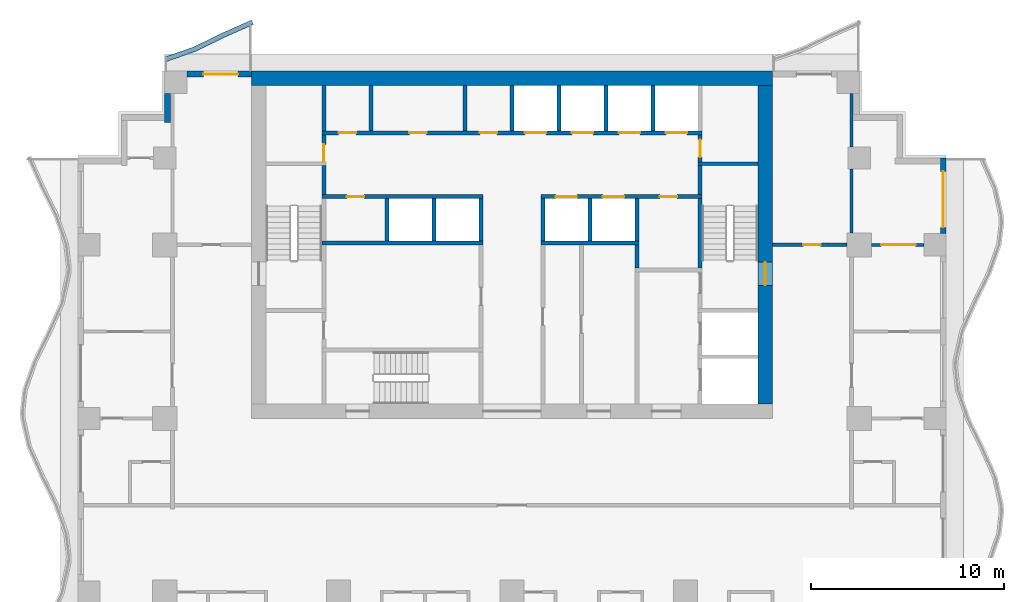
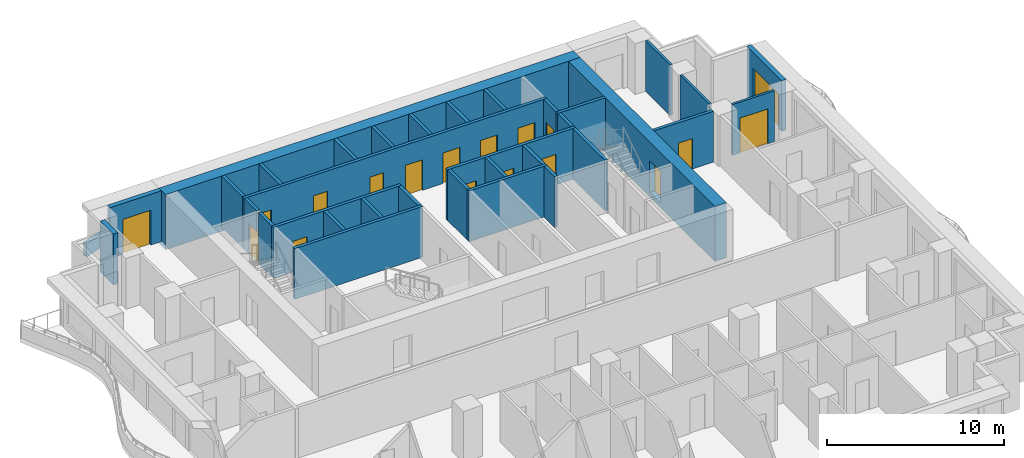
# One storey, part 5 of 10: 35 walls, 18 doors, 18 openings.
"""IFC4 building model written with IfcOpenShell, lengths in metres."""

from ifc_helpers import new_model, si_unit, direction, frame, frame_2d, origin, place, context, subcontext, project, spatial, polyline, rectangle, outline, extrude, material, layer, layer_set, type_object, element, fill, save


model = new_model("IFC4")

# Units and contexts
model_context = context("Model", 3, precision=1e-05, world=origin(), true_north=direction((0.0, 1.0)))
body_context = subcontext(model_context, "Body", "Model", "MODEL_VIEW")
ifc_project = project(units=[si_unit("LENGTHUNIT", "METRE"), si_unit("AREAUNIT", "SQUARE_METRE"), si_unit("VOLUMEUNIT", "CUBIC_METRE"), si_unit("PLANEANGLEUNIT", "RADIAN"), si_unit("MASSUNIT", "GRAM", prefix="KILO")], contexts=[model_context])

# Site, building, storey
site_placement = place(None, origin())
site = spatial("IfcSite", under=ifc_project, at=site_placement, CompositionType="ELEMENT")
building_placement = place(site_placement, origin())
building = spatial("IfcBuilding", under=site, at=building_placement, Name="Orbiselva Terraces", CompositionType="ELEMENT")
storey_placement = place(building_placement, frame((0.0, 0.0, 155.4)))
storey = spatial("IfcBuildingStorey", under=building, at=storey_placement, Name="L39", CompositionType="ELEMENT", Elevation=155.4)

# Wall, opening, door
ifc_material_1 = material(Name="Concrete C80/95", Category="concrete")
ifc_layer_1 = layer(ifc_material_1, 0.75)
ifc_layer_set_1 = layer_set([ifc_layer_1], Name="Concrete C80/95")
wall_type_1 = type_object("IfcWallType", Name="CORE WALL 750", PredefinedType="SHEAR", material=ifc_layer_set_1)
wall_1_placement = place(storey_placement, frame((13.125, 5.25, -0.3), z_axis=(0.0, 0.0, 1.0), x_axis=(0.0, 1.0, 0.0)))
wall_1 = element("IfcWall", 1, at=wall_1_placement, inside=storey, type_object=wall_type_1, Name="Core wall L39 east", PredefinedType="SHEAR", context=body_context, shape_type="SweptSolid", body=[
    extrude(rectangle(XDim=16.5, YDim=0.75, at=frame_2d((8.25, 0.0))), origin(), (0.0, 0.0, 1.0), 3.8),
])
opening_1_placement = place(wall_1_placement, frame((6.15, 0.0, 0.3)))
opening_1 = element("IfcOpeningElement", 2, at=opening_1_placement, cuts=wall_1, Name="Opening DS1200", PredefinedType="OPENING", context=body_context, shape_type="SweptSolid", body=[
    extrude(rectangle(XDim=1.2, YDim=2.2, at=frame_2d((0.6, 1.1))), frame((0.0, 0.385, 0.0), z_axis=(0.0, -1.0, 0.0), x_axis=(1.0, 0.0, 0.0)), (0.0, 0.0, 1.0), 0.77),
])
ifc_material_2 = material(Name="Steel fire door", Category="steel")
door_type_1 = type_object("IfcDoorType", Name="STAIR DOOR 1200", OperationType="NOTDEFINED", PredefinedType="DOOR", material=ifc_material_2)
door_1_placement = place(opening_1_placement, frame((1.2, 0.0, 0.0), z_axis=(0.0, 0.0, 1.0), x_axis=(-1.0, 0.0, 0.0)))
door_1 = element("IfcDoor", 3, at=door_1_placement, inside=storey, type_object=door_type_1, Name="L39 EXIT STAIR S2 door", OperationType="SINGLE_SWING_LEFT", OverallHeight=2.2, OverallWidth=1.2, PredefinedType="DOOR", context=body_context, shape_type="SweptSolid", body=[
    extrude(rectangle(XDim=1.2, YDim=2.2, at=frame_2d((0.6, 1.1))), frame((0.0, 0.025, 0.0), z_axis=(0.0, -1.0, 0.0), x_axis=(1.0, 0.0, 0.0)), (0.0, 0.0, 1.0), 0.05),
])
fill(opening_1, door_1)

# Wall
ifc_layer_2 = layer(ifc_material_1, 0.75)
ifc_layer_set_2 = layer_set([ifc_layer_2], Name="Concrete C80/95")
wall_type_2 = type_object("IfcWallType", Name="CORE WALL 750 EXTERNAL", PredefinedType="SHEAR", material=ifc_layer_set_2)
wall_2_placement = place(storey_placement, frame((13.5, 22.125, -0.3), z_axis=(0.0, 0.0, 1.0), x_axis=(-1.0, 0.0, 0.0)))
element("IfcWall", 4, at=wall_2_placement, inside=storey, type_object=wall_type_2, Name="Core wall L39 north", PredefinedType="SHEAR", context=body_context, shape_type="SweptSolid", body=[
    extrude(rectangle(XDim=27.0, YDim=0.75, at=frame_2d((13.5, 0.0))), origin(), (0.0, 0.0, 1.0), 3.8),
])

# Wall, opening, door
ifc_material_3 = material(Name="Masonry blockwork", Category="masonry")
ifc_layer_3 = layer(ifc_material_3, 0.2)
ifc_layer_set_3 = layer_set([ifc_layer_3], Name="Masonry blockwork")
wall_type_3 = type_object("IfcWallType", Name="CORE-WALL-PARTITION-200", PredefinedType="PARTITIONING", material=ifc_layer_set_3)
wall_3_placement = place(storey_placement, frame((-9.75, 17.8, 0.0), z_axis=(0.0, 0.0, 1.0), x_axis=(0.0, 1.0, 0.0)))
wall_3 = element("IfcWall", 5, at=wall_3_placement, inside=storey, type_object=wall_type_3, Name="L39 core wall 11", PredefinedType="PARTITIONING", context=body_context, shape_type="SweptSolid", body=[
    extrude(rectangle(XDim=1.4, YDim=0.2, at=frame_2d((0.7, 0.0))), origin(), (0.0, 0.0, 1.0), 3.5),
])
opening_2_placement = place(wall_3_placement, origin())
opening_2 = element("IfcOpeningElement", 6, at=opening_2_placement, cuts=wall_3, Name="Opening DR900", PredefinedType="OPENING", context=body_context, shape_type="SweptSolid", body=[
    extrude(rectangle(XDim=0.9, YDim=2.1, at=frame_2d((0.45, 1.05))), frame((0.0, 0.11, 0.0), z_axis=(0.0, -1.0, 0.0), x_axis=(1.0, 0.0, 0.0)), (0.0, 0.0, 1.0), 0.22),
])
door_type_2 = type_object("IfcDoorType", Name="ROOM DOOR 900", OperationType="NOTDEFINED", PredefinedType="DOOR", material=ifc_material_2)
door_2_placement = place(opening_2_placement, origin())
door_2 = element("IfcDoor", 7, at=door_2_placement, inside=storey, type_object=door_type_2, Name="L39 ELECTRICAL RISER ROOM door", OperationType="SINGLE_SWING_LEFT", OverallHeight=2.1, OverallWidth=0.9, PredefinedType="DOOR", context=body_context, shape_type="SweptSolid", body=[
    extrude(rectangle(XDim=0.9, YDim=2.1, at=frame_2d((0.45, 1.05))), frame((0.0, 0.025, 0.0), z_axis=(0.0, -1.0, 0.0), x_axis=(1.0, 0.0, 0.0)), (0.0, 0.0, 1.0), 0.05),
])
fill(opening_2, door_2)

# Walls
for number, where, z_axis, x_axis, name in (
    (8, (-9.75, 19.4, 0.0), (0.0, 0.0, 1.0), (0.0, 1.0, 0.0), "L39 core wall 13"),
    (9, (-7.3125, 19.4, 0.0), (0.0, 0.0, 1.0), (0.0, 1.0, 0.0), "L39 core wall 14"),
    (10, (-2.4375, 19.4, 0.0), (0.0, 0.0, 1.0), (0.0, 1.0, 0.0), "L39 core wall 17"),
):
    element("IfcWall", number, at=place(storey_placement, frame(where, z_axis=z_axis, x_axis=x_axis)), inside=storey, type_object=wall_type_3, Name=name, PredefinedType="PARTITIONING", context=body_context, shape_type="SweptSolid", body=[
        extrude(rectangle(XDim=2.35, YDim=0.2, at=frame_2d((1.175, 0.0))), origin(), (0.0, 0.0, 1.0), 3.5),
    ])
wall_4_placement = place(storey_placement, frame((6.475, 12.3, 0.0), z_axis=(0.0, 0.0, 1.0), x_axis=(0.0, 1.0, 0.0)))
element("IfcWall", 11, at=wall_4_placement, inside=storey, type_object=wall_type_3, Name="L39 core wall 32", PredefinedType="PARTITIONING", context=body_context, shape_type="SweptSolid", body=[
    extrude(rectangle(XDim=1.2, YDim=0.2, at=frame_2d((0.6, 0.0))), origin(), (0.0, 0.0, 1.0), 3.5),
])

# Wall, opening, door
wall_5_placement = place(storey_placement, frame((9.75, 19.2, 0.0), z_axis=(0.0, 0.0, 1.0), x_axis=(0.0, -1.0, 0.0)))
wall_5 = element("IfcWall", 12, at=wall_5_placement, inside=storey, type_object=wall_type_3, Name="L39 core wall 43", PredefinedType="PARTITIONING", context=body_context, shape_type="SweptSolid", body=[
    extrude(rectangle(XDim=1.4, YDim=0.2, at=frame_2d((0.7, 0.0))), origin(), (0.0, 0.0, 1.0), 3.5),
])
opening_3_placement = place(wall_5_placement, frame((0.25, 0.0, 0.0)))
opening_3 = element("IfcOpeningElement", 13, at=opening_3_placement, cuts=wall_5, Name="Opening DR900", PredefinedType="OPENING", context=body_context, shape_type="SweptSolid", body=[
    extrude(rectangle(XDim=0.9, YDim=2.1, at=frame_2d((0.45, 1.05))), frame((0.0, 0.11, 0.0), z_axis=(0.0, -1.0, 0.0), x_axis=(1.0, 0.0, 0.0)), (0.0, 0.0, 1.0), 0.22),
])
door_3_placement = place(opening_3_placement, origin())
door_3 = element("IfcDoor", 14, at=door_3_placement, inside=storey, type_object=door_type_2, Name="L39 COMMS RISER ROOM door", OperationType="SINGLE_SWING_RIGHT", OverallHeight=2.1, OverallWidth=0.9, PredefinedType="DOOR", context=body_context, shape_type="SweptSolid", body=[
    extrude(rectangle(XDim=0.9, YDim=2.1, at=frame_2d((0.45, 1.05))), frame((0.0, 0.025, 0.0), z_axis=(0.0, -1.0, 0.0), x_axis=(1.0, 0.0, 0.0)), (0.0, 0.0, 1.0), 0.05),
])
fill(opening_3, door_3)

# Walls
ifc_material_4 = material(Name="Concrete C40/50", Category="concrete")
ifc_layer_4 = layer(ifc_material_4, 0.2)
ifc_layer_set_4 = layer_set([ifc_layer_4], Name="Concrete C40/50")
wall_type_4 = type_object("IfcWallType", Name="CORE-WALL-SHAFT-200", PredefinedType="PARTITIONING", material=ifc_layer_set_4)
for number, where, z_axis, x_axis, name in (
    (15, (-6.475, 13.7, 0.0), (0.0, 0.0, 1.0), (0.0, 1.0, 0.0), "L39 core wall 15"),
    (16, (-4.0375, 13.7, 0.0), (0.0, 0.0, 1.0), (0.0, 1.0, 0.0), "L39 core wall 16"),
    (17, (-1.6, 13.7, 0.0), (0.0, 0.0, 1.0), (0.0, 1.0, 0.0), "L39 core wall 20"),
):
    element("IfcWall", number, at=place(storey_placement, frame(where, z_axis=z_axis, x_axis=x_axis)), inside=storey, type_object=wall_type_4, Name=name, PredefinedType="PARTITIONING", context=body_context, shape_type="SweptSolid", body=[
        extrude(rectangle(XDim=2.2, YDim=0.2, at=frame_2d((1.1, 0.0))), origin(), (0.0, 0.0, 1.0), 3.5),
    ])
wall_6_placement = place(storey_placement, frame((0.0, 19.4, 0.0), z_axis=(0.0, 0.0, 1.0), x_axis=(0.0, 1.0, 0.0)))
element("IfcWall", 18, at=wall_6_placement, inside=storey, type_object=wall_type_4, Name="L39 core wall 21", PredefinedType="PARTITIONING", context=body_context, shape_type="SweptSolid", body=[
    extrude(rectangle(XDim=2.35, YDim=0.2, at=frame_2d((1.175, 0.0))), origin(), (0.0, 0.0, 1.0), 3.5),
])
wall_7_placement = place(storey_placement, frame((1.6, 13.7, 0.0), z_axis=(0.0, 0.0, 1.0), x_axis=(0.0, 1.0, 0.0)))
element("IfcWall", 19, at=wall_7_placement, inside=storey, type_object=wall_type_4, Name="L39 core wall 24", PredefinedType="PARTITIONING", context=body_context, shape_type="SweptSolid", body=[
    extrude(rectangle(XDim=2.2, YDim=0.2, at=frame_2d((1.1, 0.0))), origin(), (0.0, 0.0, 1.0), 3.5),
])
wall_8_placement = place(storey_placement, frame((2.4375, 19.4, 0.0), z_axis=(0.0, 0.0, 1.0), x_axis=(0.0, 1.0, 0.0)))
element("IfcWall", 20, at=wall_8_placement, inside=storey, type_object=wall_type_4, Name="L39 core wall 26", PredefinedType="PARTITIONING", context=body_context, shape_type="SweptSolid", body=[
    extrude(rectangle(XDim=2.35, YDim=0.2, at=frame_2d((1.175, 0.0))), origin(), (0.0, 0.0, 1.0), 3.5),
])
wall_9_placement = place(storey_placement, frame((4.0375, 13.7, 0.0), z_axis=(0.0, 0.0, 1.0), x_axis=(0.0, 1.0, 0.0)))
element("IfcWall", 21, at=wall_9_placement, inside=storey, type_object=wall_type_4, Name="L39 core wall 28", PredefinedType="PARTITIONING", context=body_context, shape_type="SweptSolid", body=[
    extrude(rectangle(XDim=2.2, YDim=0.2, at=frame_2d((1.1, 0.0))), origin(), (0.0, 0.0, 1.0), 3.5),
])
wall_10_placement = place(storey_placement, frame((4.875, 19.4, 0.0), z_axis=(0.0, 0.0, 1.0), x_axis=(0.0, 1.0, 0.0)))
element("IfcWall", 22, at=wall_10_placement, inside=storey, type_object=wall_type_4, Name="L39 core wall 29", PredefinedType="PARTITIONING", context=body_context, shape_type="SweptSolid", body=[
    extrude(rectangle(XDim=2.35, YDim=0.2, at=frame_2d((1.175, 0.0))), origin(), (0.0, 0.0, 1.0), 3.5),
])
wall_11_placement = place(storey_placement, frame((6.475, 13.7, 0.0), z_axis=(0.0, 0.0, 1.0), x_axis=(0.0, 1.0, 0.0)))
element("IfcWall", 23, at=wall_11_placement, inside=storey, type_object=wall_type_4, Name="L39 core wall 33", PredefinedType="PARTITIONING", context=body_context, shape_type="SweptSolid", body=[
    extrude(rectangle(XDim=2.2, YDim=0.2, at=frame_2d((1.1, 0.0))), origin(), (0.0, 0.0, 1.0), 3.5),
])
wall_12_placement = place(storey_placement, frame((7.3125, 19.4, 0.0), z_axis=(0.0, 0.0, 1.0), x_axis=(0.0, 1.0, 0.0)))
element("IfcWall", 24, at=wall_12_placement, inside=storey, type_object=wall_type_4, Name="L39 core wall 34", PredefinedType="PARTITIONING", context=body_context, shape_type="SweptSolid", body=[
    extrude(rectangle(XDim=2.35, YDim=0.2, at=frame_2d((1.175, 0.0))), origin(), (0.0, 0.0, 1.0), 3.5),
])
ifc_material_5 = material(Name="Concrete C60/75", Category="concrete")
ifc_layer_5 = layer(ifc_material_5, 0.2)
ifc_layer_set_5 = layer_set([ifc_layer_5], Name="Concrete C60/75")
wall_type_5 = type_object("IfcWallType", Name="CORE-WALL-SHEAR-200", PredefinedType="SHEAR", material=ifc_layer_set_5)
wall_13_placement = place(storey_placement, frame((-9.85, 13.6, 0.0), z_axis=(0.0, 0.0, 1.0), x_axis=(1.0, 0.0, 0.0)))
element("IfcWall", 25, at=wall_13_placement, inside=storey, type_object=wall_type_5, Name="L39 core wall 07", PredefinedType="SHEAR", context=body_context, shape_type="SweptSolid", body=[
    extrude(rectangle(XDim=8.35, YDim=0.2, at=frame_2d((4.175, 0.0))), origin(), (0.0, 0.0, 1.0), 3.5),
])

# Wall, opening, door
wall_14_placement = place(storey_placement, frame((-1.5, 16.0, 0.0), z_axis=(0.0, 0.0, 1.0), x_axis=(-1.0, 0.0, 0.0)))
wall_14 = element("IfcWall", 26, at=wall_14_placement, inside=storey, type_object=wall_type_5, Name="L39 core wall 09", PredefinedType="SHEAR", context=body_context, shape_type="SweptSolid", body=[
    extrude(rectangle(XDim=8.35, YDim=0.2, at=frame_2d((4.175, 0.0))), origin(), (0.0, 0.0, 1.0), 3.5),
])
opening_4_placement = place(wall_14_placement, frame((6.1625, 0.0, 0.0)))
opening_4 = element("IfcOpeningElement", 27, at=opening_4_placement, cuts=wall_14, Name="Opening DR900", PredefinedType="OPENING", context=body_context, shape_type="SweptSolid", body=[
    extrude(rectangle(XDim=0.9, YDim=2.1, at=frame_2d((0.45, 1.05))), frame((0.0, 0.11, 0.0), z_axis=(0.0, -1.0, 0.0), x_axis=(1.0, 0.0, 0.0)), (0.0, 0.0, 1.0), 0.22),
])
door_4_placement = place(opening_4_placement, origin())
door_4 = element("IfcDoor", 28, at=door_4_placement, inside=storey, type_object=door_type_2, Name="L39 IT ROOM door", OperationType="SINGLE_SWING_RIGHT", OverallHeight=2.1, OverallWidth=0.9, PredefinedType="DOOR", context=body_context, shape_type="SweptSolid", body=[
    extrude(rectangle(XDim=0.9, YDim=2.1, at=frame_2d((0.45, 1.05))), frame((0.0, 0.025, 0.0), z_axis=(0.0, -1.0, 0.0), x_axis=(1.0, 0.0, 0.0)), (0.0, 0.0, 1.0), 0.05),
])
fill(opening_4, door_4)

# Wall
wall_15_placement = place(storey_placement, frame((-9.75, 16.1, 0.0), z_axis=(0.0, 0.0, 1.0), x_axis=(0.0, 1.0, 0.0)))
element("IfcWall", 29, at=wall_15_placement, inside=storey, type_object=wall_type_5, Name="L39 core wall 10", PredefinedType="SHEAR", context=body_context, shape_type="SweptSolid", body=[
    extrude(rectangle(XDim=1.5, YDim=0.2, at=frame_2d((0.75, 0.0))), origin(), (0.0, 0.0, 1.0), 3.5),
])

# Wall, openings, doors
wall_16_placement = place(storey_placement, frame((-9.85, 19.3, 0.0), z_axis=(0.0, 0.0, 1.0), x_axis=(1.0, 0.0, 0.0)))
wall_16 = element("IfcWall", 30, at=wall_16_placement, inside=storey, type_object=wall_type_5, Name="L39 core wall 12", PredefinedType="SHEAR", context=body_context, shape_type="SweptSolid", body=[
    extrude(rectangle(XDim=19.7, YDim=0.2, at=frame_2d((9.85, 0.0))), origin(), (0.0, 0.0, 1.0), 3.5),
])
opening_5_placement = place(wall_16_placement, frame((10.51875, 0.0, 0.0)))
opening_5 = element("IfcOpeningElement", 31, at=opening_5_placement, cuts=wall_16, Name="Opening LD-HR1", PredefinedType="OPENING", context=body_context, shape_type="SweptSolid", body=[
    extrude(rectangle(XDim=1.1, YDim=2.1, at=frame_2d((0.55, 1.05))), frame((0.0, 0.11, 0.0), z_axis=(0.0, -1.0, 0.0), x_axis=(1.0, 0.0, 0.0)), (0.0, 0.0, 1.0), 0.22),
])
opening_6_placement = place(wall_16_placement, frame((12.95625, 0.0, 0.0)))
opening_6 = element("IfcOpeningElement", 32, at=opening_6_placement, cuts=wall_16, Name="Opening LD-HR2", PredefinedType="OPENING", context=body_context, shape_type="SweptSolid", body=[
    extrude(rectangle(XDim=1.1, YDim=2.1, at=frame_2d((0.55, 1.05))), frame((0.0, 0.11, 0.0), z_axis=(0.0, -1.0, 0.0), x_axis=(1.0, 0.0, 0.0)), (0.0, 0.0, 1.0), 0.22),
])
opening_7_placement = place(wall_16_placement, frame((15.39375, 0.0, 0.0)))
opening_7 = element("IfcOpeningElement", 33, at=opening_7_placement, cuts=wall_16, Name="Opening LD-HR3", PredefinedType="OPENING", context=body_context, shape_type="SweptSolid", body=[
    extrude(rectangle(XDim=1.1, YDim=2.1, at=frame_2d((0.55, 1.05))), frame((0.0, 0.11, 0.0), z_axis=(0.0, -1.0, 0.0), x_axis=(1.0, 0.0, 0.0)), (0.0, 0.0, 1.0), 0.22),
])
opening_8_placement = place(wall_16_placement, frame((17.83125, 0.0, 0.0)))
opening_8 = element("IfcOpeningElement", 34, at=opening_8_placement, cuts=wall_16, Name="Opening LD-HR4", PredefinedType="OPENING", context=body_context, shape_type="SweptSolid", body=[
    extrude(rectangle(XDim=1.1, YDim=2.1, at=frame_2d((0.55, 1.05))), frame((0.0, 0.11, 0.0), z_axis=(0.0, -1.0, 0.0), x_axis=(1.0, 0.0, 0.0)), (0.0, 0.0, 1.0), 0.22),
])
opening_9_placement = place(wall_16_placement, frame((0.8688, 0.0, 0.0)))
opening_9 = element("IfcOpeningElement", 35, at=opening_9_placement, cuts=wall_16, Name="Opening DR900", PredefinedType="OPENING", context=body_context, shape_type="SweptSolid", body=[
    extrude(rectangle(XDim=0.9, YDim=2.1, at=frame_2d((0.45, 1.05))), frame((0.0, 0.11, 0.0), z_axis=(0.0, -1.0, 0.0), x_axis=(1.0, 0.0, 0.0)), (0.0, 0.0, 1.0), 0.22),
])
opening_10_placement = place(wall_16_placement, frame((4.525, 0.0, 0.0)))
opening_10 = element("IfcOpeningElement", 36, at=opening_10_placement, cuts=wall_16, Name="Opening DR900", PredefinedType="OPENING", context=body_context, shape_type="SweptSolid", body=[
    extrude(rectangle(XDim=0.9, YDim=2.1, at=frame_2d((0.45, 1.05))), frame((0.0, 0.11, 0.0), z_axis=(0.0, -1.0, 0.0), x_axis=(1.0, 0.0, 0.0)), (0.0, 0.0, 1.0), 0.22),
])
opening_11_placement = place(wall_16_placement, frame((8.1812, 0.0, 0.0)))
opening_11 = element("IfcOpeningElement", 37, at=opening_11_placement, cuts=wall_16, Name="Opening DR900", PredefinedType="OPENING", context=body_context, shape_type="SweptSolid", body=[
    extrude(rectangle(XDim=0.9, YDim=2.1, at=frame_2d((0.45, 1.05))), frame((0.0, 0.11, 0.0), z_axis=(0.0, -1.0, 0.0), x_axis=(1.0, 0.0, 0.0)), (0.0, 0.0, 1.0), 0.22),
])
ifc_material_6 = material(Name="Stainless steel landing door", Category="steel")
door_type_3 = type_object("IfcDoorType", Name="LANDING DOOR 1100", OperationType="SLIDING_TO_LEFT", PredefinedType="DOOR", material=ifc_material_6)
door_5_placement = place(opening_5_placement, origin())
door_5 = element("IfcDoor", 38, at=door_5_placement, inside=storey, type_object=door_type_3, Name="L39 landing door HR1", OperationType="SLIDING_TO_RIGHT", OverallHeight=2.1, OverallWidth=1.1, PredefinedType="DOOR", context=body_context, shape_type="SweptSolid", body=[
    extrude(rectangle(XDim=1.1, YDim=2.1, at=frame_2d((0.55, 1.05))), frame((0.0, 0.025, 0.0), z_axis=(0.0, -1.0, 0.0), x_axis=(1.0, 0.0, 0.0)), (0.0, 0.0, 1.0), 0.05),
])
fill(opening_5, door_5)
door_6_placement = place(opening_6_placement, origin())
door_6 = element("IfcDoor", 39, at=door_6_placement, inside=storey, type_object=door_type_3, Name="L39 landing door HR2", OperationType="SLIDING_TO_RIGHT", OverallHeight=2.1, OverallWidth=1.1, PredefinedType="DOOR", context=body_context, shape_type="SweptSolid", body=[
    extrude(rectangle(XDim=1.1, YDim=2.1, at=frame_2d((0.55, 1.05))), frame((0.0, 0.025, 0.0), z_axis=(0.0, -1.0, 0.0), x_axis=(1.0, 0.0, 0.0)), (0.0, 0.0, 1.0), 0.05),
])
fill(opening_6, door_6)
door_7_placement = place(opening_7_placement, origin())
door_7 = element("IfcDoor", 40, at=door_7_placement, inside=storey, type_object=door_type_3, Name="L39 landing door HR3", OperationType="SLIDING_TO_RIGHT", OverallHeight=2.1, OverallWidth=1.1, PredefinedType="DOOR", context=body_context, shape_type="SweptSolid", body=[
    extrude(rectangle(XDim=1.1, YDim=2.1, at=frame_2d((0.55, 1.05))), frame((0.0, 0.025, 0.0), z_axis=(0.0, -1.0, 0.0), x_axis=(1.0, 0.0, 0.0)), (0.0, 0.0, 1.0), 0.05),
])
fill(opening_7, door_7)
door_8_placement = place(opening_8_placement, origin())
door_8 = element("IfcDoor", 41, at=door_8_placement, inside=storey, type_object=door_type_3, Name="L39 landing door HR4", OperationType="SLIDING_TO_RIGHT", OverallHeight=2.1, OverallWidth=1.1, PredefinedType="DOOR", context=body_context, shape_type="SweptSolid", body=[
    extrude(rectangle(XDim=1.1, YDim=2.1, at=frame_2d((0.55, 1.05))), frame((0.0, 0.025, 0.0), z_axis=(0.0, -1.0, 0.0), x_axis=(1.0, 0.0, 0.0)), (0.0, 0.0, 1.0), 0.05),
])
fill(opening_8, door_8)
door_9_placement = place(opening_9_placement, origin())
door_9 = element("IfcDoor", 42, at=door_9_placement, inside=storey, type_object=door_type_2, Name="L39 STORE door", OperationType="SINGLE_SWING_LEFT", OverallHeight=2.1, OverallWidth=0.9, PredefinedType="DOOR", context=body_context, shape_type="SweptSolid", body=[
    extrude(rectangle(XDim=0.9, YDim=2.1, at=frame_2d((0.45, 1.05))), frame((0.0, 0.025, 0.0), z_axis=(0.0, -1.0, 0.0), x_axis=(1.0, 0.0, 0.0)), (0.0, 0.0, 1.0), 0.05),
])
fill(opening_9, door_9)
door_10_placement = place(opening_10_placement, origin())
door_10 = element("IfcDoor", 43, at=door_10_placement, inside=storey, type_object=door_type_2, Name="L39 IT ROOM door", OperationType="SINGLE_SWING_LEFT", OverallHeight=2.1, OverallWidth=0.9, PredefinedType="DOOR", context=body_context, shape_type="SweptSolid", body=[
    extrude(rectangle(XDim=0.9, YDim=2.1, at=frame_2d((0.45, 1.05))), frame((0.0, 0.025, 0.0), z_axis=(0.0, -1.0, 0.0), x_axis=(1.0, 0.0, 0.0)), (0.0, 0.0, 1.0), 0.05),
])
fill(opening_10, door_10)
door_11_placement = place(opening_11_placement, origin())
door_11 = element("IfcDoor", 44, at=door_11_placement, inside=storey, type_object=door_type_2, Name="L39 CLEANERS STORE door", OperationType="SINGLE_SWING_LEFT", OverallHeight=2.1, OverallWidth=0.9, PredefinedType="DOOR", context=body_context, shape_type="SweptSolid", body=[
    extrude(rectangle(XDim=0.9, YDim=2.1, at=frame_2d((0.45, 1.05))), frame((0.0, 0.025, 0.0), z_axis=(0.0, -1.0, 0.0), x_axis=(1.0, 0.0, 0.0)), (0.0, 0.0, 1.0), 0.05),
])
fill(opening_11, door_11)

# Wall
wall_17_placement = place(storey_placement, frame((1.5, 13.6, 0.0), z_axis=(0.0, 0.0, 1.0), x_axis=(1.0, 0.0, 0.0)))
element("IfcWall", 45, at=wall_17_placement, inside=storey, type_object=wall_type_5, Name="L39 core wall 23", PredefinedType="SHEAR", context=body_context, shape_type="SweptSolid", body=[
    extrude(rectangle(XDim=5.075, YDim=0.2, at=frame_2d((2.5375, 0.0))), origin(), (0.0, 0.0, 1.0), 3.5),
])

# Wall, openings, doors
wall_18_placement = place(storey_placement, frame((9.85, 16.0, 0.0), z_axis=(0.0, 0.0, 1.0), x_axis=(-1.0, 0.0, 0.0)))
wall_18 = element("IfcWall", 46, at=wall_18_placement, inside=storey, type_object=wall_type_5, Name="L39 core wall 25", PredefinedType="SHEAR", context=body_context, shape_type="SweptSolid", body=[
    extrude(rectangle(XDim=8.35, YDim=0.2, at=frame_2d((4.175, 0.0))), origin(), (0.0, 0.0, 1.0), 3.5),
])
opening_12_placement = place(wall_18_placement, frame((6.48125, 0.0, 0.0)))
opening_12 = element("IfcOpeningElement", 47, at=opening_12_placement, cuts=wall_18, Name="Opening LD-HR5", PredefinedType="OPENING", context=body_context, shape_type="SweptSolid", body=[
    extrude(rectangle(XDim=1.1, YDim=2.1, at=frame_2d((0.55, 1.05))), frame((0.0, 0.11, 0.0), z_axis=(0.0, -1.0, 0.0), x_axis=(1.0, 0.0, 0.0)), (0.0, 0.0, 1.0), 0.22),
])
opening_13_placement = place(wall_18_placement, frame((4.04375, 0.0, 0.0)))
opening_13 = element("IfcOpeningElement", 48, at=opening_13_placement, cuts=wall_18, Name="Opening LD-HR6", PredefinedType="OPENING", context=body_context, shape_type="SweptSolid", body=[
    extrude(rectangle(XDim=1.1, YDim=2.1, at=frame_2d((0.55, 1.05))), frame((0.0, 0.11, 0.0), z_axis=(0.0, -1.0, 0.0), x_axis=(1.0, 0.0, 0.0)), (0.0, 0.0, 1.0), 0.22),
])
opening_14_placement = place(wall_18_placement, frame((1.2875, 0.0, 0.0)))
opening_14 = element("IfcOpeningElement", 49, at=opening_14_placement, cuts=wall_18, Name="Opening DR900", PredefinedType="OPENING", context=body_context, shape_type="SweptSolid", body=[
    extrude(rectangle(XDim=0.9, YDim=2.1, at=frame_2d((0.45, 1.05))), frame((0.0, 0.11, 0.0), z_axis=(0.0, -1.0, 0.0), x_axis=(1.0, 0.0, 0.0)), (0.0, 0.0, 1.0), 0.22),
])
door_12_placement = place(opening_12_placement, origin())
door_12 = element("IfcDoor", 50, at=door_12_placement, inside=storey, type_object=door_type_3, Name="L39 landing door HR5", OperationType="SLIDING_TO_RIGHT", OverallHeight=2.1, OverallWidth=1.1, PredefinedType="DOOR", context=body_context, shape_type="SweptSolid", body=[
    extrude(rectangle(XDim=1.1, YDim=2.1, at=frame_2d((0.55, 1.05))), frame((0.0, 0.025, 0.0), z_axis=(0.0, -1.0, 0.0), x_axis=(1.0, 0.0, 0.0)), (0.0, 0.0, 1.0), 0.05),
])
fill(opening_12, door_12)
door_13_placement = place(opening_13_placement, origin())
door_13 = element("IfcDoor", 51, at=door_13_placement, inside=storey, type_object=door_type_3, Name="L39 landing door HR6", OperationType="SLIDING_TO_RIGHT", OverallHeight=2.1, OverallWidth=1.1, PredefinedType="DOOR", context=body_context, shape_type="SweptSolid", body=[
    extrude(rectangle(XDim=1.1, YDim=2.1, at=frame_2d((0.55, 1.05))), frame((0.0, 0.025, 0.0), z_axis=(0.0, -1.0, 0.0), x_axis=(1.0, 0.0, 0.0)), (0.0, 0.0, 1.0), 0.05),
])
fill(opening_13, door_13)
door_14_placement = place(opening_14_placement, origin())
door_14 = element("IfcDoor", 52, at=door_14_placement, inside=storey, type_object=door_type_2, Name="L39 PIPE RISER ROOM door", OperationType="SINGLE_SWING_LEFT", OverallHeight=2.1, OverallWidth=0.9, PredefinedType="DOOR", context=body_context, shape_type="SweptSolid", body=[
    extrude(rectangle(XDim=0.9, YDim=2.1, at=frame_2d((0.45, 1.05))), frame((0.0, 0.025, 0.0), z_axis=(0.0, -1.0, 0.0), x_axis=(1.0, 0.0, 0.0)), (0.0, 0.0, 1.0), 0.05),
])
fill(opening_14, door_14)

# Walls
wall_19_placement = place(storey_placement, frame((9.75, 12.3, 0.0), z_axis=(0.0, 0.0, 1.0), x_axis=(0.0, 1.0, 0.0)))
element("IfcWall", 53, at=wall_19_placement, inside=storey, type_object=wall_type_5, Name="L39 core wall 40", PredefinedType="SHEAR", context=body_context, shape_type="SweptSolid", body=[
    extrude(rectangle(XDim=3.6, YDim=0.2, at=frame_2d((1.8, 0.0))), origin(), (0.0, 0.0, 1.0), 3.5),
])
wall_20_placement = place(storey_placement, frame((9.75, 16.1, 0.0), z_axis=(0.0, 0.0, 1.0), x_axis=(0.0, 1.0, 0.0)))
element("IfcWall", 54, at=wall_20_placement, inside=storey, type_object=wall_type_5, Name="L39 core wall 41", PredefinedType="SHEAR", context=body_context, shape_type="SweptSolid", body=[
    extrude(rectangle(XDim=1.5, YDim=0.2, at=frame_2d((0.75, 0.0))), origin(), (0.0, 0.0, 1.0), 3.5),
])
wall_21_placement = place(storey_placement, frame((9.65, 17.7, 0.0), z_axis=(0.0, 0.0, 1.0), x_axis=(1.0, 0.0, 0.0)))
element("IfcWall", 55, at=wall_21_placement, inside=storey, type_object=wall_type_5, Name="L39 core wall 42", PredefinedType="SHEAR", context=body_context, shape_type="SweptSolid", body=[
    extrude(rectangle(XDim=3.1, YDim=0.2, at=frame_2d((1.55, 0.0))), origin(), (0.0, 0.0, 1.0), 3.5),
])
ifc_layer_6 = layer(ifc_material_4, 0.25)
ifc_layer_set_6 = layer_set([ifc_layer_6], Name="Concrete C40/50")
wall_type_6 = type_object("IfcWallType", Name="ENV-PLANTER-250x900", PredefinedType="USERDEFINED", material=ifc_layer_set_6)
wall_22_placement = place(storey_placement, origin())
element("IfcWall", 56, at=wall_22_placement, inside=storey, type_object=wall_type_6, Name="Balcony planter L39 NW", ObjectType="PLANTER", PredefinedType="USERDEFINED", context=body_context, shape_type="SweptSolid", body=[
    extrude(outline(polyline([(-13.5, 25.148528), (-15.0, 24.487721), (-16.5, 23.755211), (-18.0, 23.230792), (-17.917494, 22.994799), (-16.40356, 23.524089), (-14.894714, 24.260919), (-13.399212, 24.919745), (-13.5, 25.148528)])), origin(), (0.0, 0.0, 1.0), 0.9),
])

# Wall, opening, door
ifc_material_7 = material(Name="Terracotta cladding on masonry backing", Category="masonry")
ifc_layer_7 = layer(ifc_material_7, 0.3)
ifc_layer_set_7 = layer_set([ifc_layer_7], Name="Terracotta cladding on masonry backing")
wall_type_7 = type_object("IfcWallType", Name="ENV-WALL-TERRACOTTA-300", PredefinedType="SOLIDWALL", material=ifc_layer_set_7)
wall_23_placement = place(storey_placement, frame((22.35, 18.0, 0.0), z_axis=(0.0, 0.0, 1.0), x_axis=(0.0, -1.0, 0.0)))
wall_23 = element("IfcWall", 57, at=wall_23_placement, inside=storey, type_object=wall_type_7, Name="Facade wall L39 E", PredefinedType="SOLIDWALL", context=body_context, shape_type="SweptSolid", body=[
    extrude(rectangle(XDim=3.925, YDim=0.3, at=frame_2d((1.9625, 0.0))), origin(), (0.0, 0.0, 1.0), 3.5),
])
opening_15_placement = place(wall_23_placement, frame((0.7, 0.0, 0.0)))
opening_15 = element("IfcOpeningElement", 58, at=opening_15_placement, cuts=wall_23, Name="Opening Z3-C-E07", PredefinedType="OPENING", context=body_context, shape_type="SweptSolid", body=[
    extrude(rectangle(XDim=2.9, YDim=2.4, at=frame_2d((1.45, 1.2))), frame((0.0, 0.16, 0.0), z_axis=(0.0, -1.0, 0.0), x_axis=(1.0, 0.0, 0.0)), (0.0, 0.0, 1.0), 0.32),
])
ifc_material_8 = material(Name="Clear low-e glazing in aluminium frame", Category="aluminium")
door_type_4 = type_object("IfcDoorType", Name="BALCONY DOOR 2900 X 2400", OperationType="DOUBLE_DOOR_SLIDING", PredefinedType="DOOR", material=ifc_material_8)
door_15_placement = place(opening_15_placement, origin())
door_15 = element("IfcDoor", 59, at=door_15_placement, inside=storey, type_object=door_type_4, Name="Z3-C-E07", OperationType="SINGLE_SWING_LEFT", OverallHeight=2.4, OverallWidth=2.9, PredefinedType="DOOR", context=body_context, shape_type="SweptSolid", body=[
    extrude(rectangle(XDim=2.9, YDim=2.4, at=frame_2d((1.45, 1.2))), frame((0.0, 0.025, 0.0), z_axis=(0.0, -1.0, 0.0), x_axis=(1.0, 0.0, 0.0)), (0.0, 0.0, 1.0), 0.05),
])
fill(opening_15, door_15)

wall_24_placement = place(storey_placement, frame((-16.85, 22.35, 0.0), z_axis=(0.0, 0.0, 1.0), x_axis=(1.0, 0.0, 0.0)))
wall_24 = element("IfcWall", 60, at=wall_24_placement, inside=storey, type_object=wall_type_7, Name="Facade wall L39 NW", PredefinedType="SOLIDWALL", context=body_context, shape_type="SweptSolid", body=[
    extrude(rectangle(XDim=3.35, YDim=0.3, at=frame_2d((1.675, 0.0))), origin(), (0.0, 0.0, 1.0), 3.5),
])
opening_16_placement = place(wall_24_placement, frame((0.85, 0.0, 0.0)))
opening_16 = element("IfcOpeningElement", 61, at=opening_16_placement, cuts=wall_24, Name="Opening Z3-C-E16", PredefinedType="OPENING", context=body_context, shape_type="SweptSolid", body=[
    extrude(rectangle(XDim=1.8, YDim=2.4, at=frame_2d((0.9, 1.2))), frame((0.0, 0.16, 0.0), z_axis=(0.0, -1.0, 0.0), x_axis=(1.0, 0.0, 0.0)), (0.0, 0.0, 1.0), 0.32),
])
door_type_5 = type_object("IfcDoorType", Name="BALCONY DOOR 1800 X 2400", OperationType="DOUBLE_DOOR_SLIDING", PredefinedType="DOOR", material=ifc_material_8)
door_16_placement = place(opening_16_placement, origin())
door_16 = element("IfcDoor", 62, at=door_16_placement, inside=storey, type_object=door_type_5, Name="Z3-C-E16", OperationType="SINGLE_SWING_LEFT", OverallHeight=2.4, OverallWidth=1.8, PredefinedType="DOOR", context=body_context, shape_type="SweptSolid", body=[
    extrude(rectangle(XDim=1.8, YDim=2.4, at=frame_2d((0.9, 1.2))), frame((0.0, 0.025, 0.0), z_axis=(0.0, -1.0, 0.0), x_axis=(1.0, 0.0, 0.0)), (0.0, 0.0, 1.0), 0.05),
])
fill(opening_16, door_16)

# Wall
wall_25_placement = place(storey_placement, frame((-17.85, 19.85, 0.0), z_axis=(0.0, 0.0, 1.0), x_axis=(0.0, 1.0, 0.0)))
element("IfcWall", 63, at=wall_25_placement, inside=storey, type_object=wall_type_7, Name="Facade wall L39 STEP", PredefinedType="SOLIDWALL", context=body_context, shape_type="SweptSolid", body=[
    extrude(rectangle(XDim=1.5, YDim=0.3, at=frame_2d((0.75, 0.0))), origin(), (0.0, 0.0, 1.0), 3.5),
])

# Wall, opening, door
ifc_material_9 = material(Name="Plasterboard on steel stud partition", Category="steel")
ifc_layer_8 = layer(ifc_material_9, 0.2)
ifc_layer_set_8 = layer_set([ifc_layer_8], Name="Plasterboard on steel stud partition")
wall_type_8 = type_object("IfcWallType", Name="UNIT-ENTRANCE-WALL-200", PredefinedType="PARTITIONING", material=ifc_layer_set_8)
wall_26_placement = place(storey_placement, frame((13.5, 13.5, 0.0), z_axis=(0.0, 0.0, 1.0), x_axis=(1.0, 0.0, 0.0)))
wall_26 = element("IfcWall", 64, at=wall_26_placement, inside=storey, type_object=wall_type_8, Name="PARTITION L39-032", PredefinedType="PARTITIONING", context=body_context, shape_type="SweptSolid", body=[
    extrude(rectangle(XDim=3.875, YDim=0.2, at=frame_2d((1.9375, 0.0))), origin(), (0.0, 0.0, 1.0), 3.5),
])
opening_17_placement = place(wall_26_placement, frame((1.6, 0.0, 0.0)))
opening_17 = element("IfcOpeningElement", 65, at=opening_17_placement, cuts=wall_26, Name="Opening Z3-C-02", PredefinedType="OPENING", context=body_context, shape_type="SweptSolid", body=[
    extrude(rectangle(XDim=0.9, YDim=2.1, at=frame_2d((0.45, 1.05))), frame((0.0, 0.11, 0.0), z_axis=(0.0, -1.0, 0.0), x_axis=(1.0, 0.0, 0.0)), (0.0, 0.0, 1.0), 0.22),
])
ifc_material_10 = material(Name="Painted timber door leaf", Category="wood")
door_type_6 = type_object("IfcDoorType", Name="SERVICE DOOR 900", OperationType="NOTDEFINED", PredefinedType="DOOR", material=ifc_material_10)
door_17_placement = place(opening_17_placement, origin())
door_17 = element("IfcDoor", 66, at=door_17_placement, inside=storey, type_object=door_type_6, Name="Z3-C-02", OperationType="SINGLE_SWING_RIGHT", OverallHeight=2.1, OverallWidth=0.9, PredefinedType="DOOR", context=body_context, shape_type="SweptSolid", body=[
    extrude(rectangle(XDim=0.9, YDim=2.1, at=frame_2d((0.45, 1.05))), frame((0.0, 0.025, 0.0), z_axis=(0.0, -1.0, 0.0), x_axis=(1.0, 0.0, 0.0)), (0.0, 0.0, 1.0), 0.05),
])
fill(opening_17, door_17)

ifc_layer_9 = layer(ifc_material_9, 0.15)
ifc_layer_set_9 = layer_set([ifc_layer_9], Name="Plasterboard on steel stud partition")
wall_type_9 = type_object("IfcWallType", Name="UNIT-PARTITION-150", PredefinedType="PARTITIONING", material=ifc_layer_set_9)
wall_27_placement = place(storey_placement, frame((18.625, 13.5, 0.0), z_axis=(0.0, 0.0, 1.0), x_axis=(1.0, 0.0, 0.0)))
wall_27 = element("IfcWall", 67, at=wall_27_placement, inside=storey, type_object=wall_type_9, Name="PARTITION L39-033", PredefinedType="PARTITIONING", context=body_context, shape_type="SweptSolid", body=[
    extrude(rectangle(XDim=2.725, YDim=0.15, at=frame_2d((1.3625, 0.0))), origin(), (0.0, 0.0, 1.0), 3.5),
])
opening_18_placement = place(wall_27_placement, frame((0.5, 0.0, 0.0)))
opening_18 = element("IfcOpeningElement", 68, at=opening_18_placement, cuts=wall_27, Name="Opening Z3-C-12", PredefinedType="OPENING", context=body_context, shape_type="SweptSolid", body=[
    extrude(rectangle(XDim=1.8, YDim=2.4, at=frame_2d((0.9, 1.2))), frame((0.0, 0.085, 0.0), z_axis=(0.0, -1.0, 0.0), x_axis=(1.0, 0.0, 0.0)), (0.0, 0.0, 1.0), 0.17),
])
door_type_7 = type_object("IfcDoorType", Name="DOUBLE DOOR 1800", OperationType="NOTDEFINED", PredefinedType="DOOR", material=ifc_material_10)
door_18_placement = place(opening_18_placement, origin())
door_18 = element("IfcDoor", 69, at=door_18_placement, inside=storey, type_object=door_type_7, Name="Z3-C-12", OperationType="DOUBLE_DOOR_SINGLE_SWING", OverallHeight=2.4, OverallWidth=1.8, PredefinedType="DOOR", context=body_context, shape_type="SweptSolid", body=[
    extrude(rectangle(XDim=1.8, YDim=2.4, at=frame_2d((0.9, 1.2))), frame((0.0, 0.025, 0.0), z_axis=(0.0, -1.0, 0.0), x_axis=(1.0, 0.0, 0.0)), (0.0, 0.0, 1.0), 0.05),
])
fill(opening_18, door_18)

# Walls
wall_28_placement = place(storey_placement, frame((17.6, 14.125, 0.0), z_axis=(0.0, 0.0, 1.0), x_axis=(0.0, 1.0, 0.0)))
element("IfcWall", 70, at=wall_28_placement, inside=storey, type_object=wall_type_9, Name="PARTITION L39-061", PredefinedType="PARTITIONING", context=body_context, shape_type="SweptSolid", body=[
    extrude(rectangle(XDim=3.3, YDim=0.15, at=frame_2d((1.65, 0.0))), origin(), (0.0, 0.0, 1.0), 3.5),
])
wall_29_placement = place(storey_placement, frame((17.6, 18.575, 0.0), z_axis=(0.0, 0.0, 1.0), x_axis=(0.0, 1.0, 0.0)))
element("IfcWall", 71, at=wall_29_placement, inside=storey, type_object=wall_type_9, Name="PARTITION L39-062", PredefinedType="PARTITIONING", context=body_context, shape_type="SweptSolid", body=[
    extrude(rectangle(XDim=2.775, YDim=0.15, at=frame_2d((1.3875, 0.0))), origin(), (0.0, 0.0, 1.0), 3.5),
])

save(model, "model.ifc")
